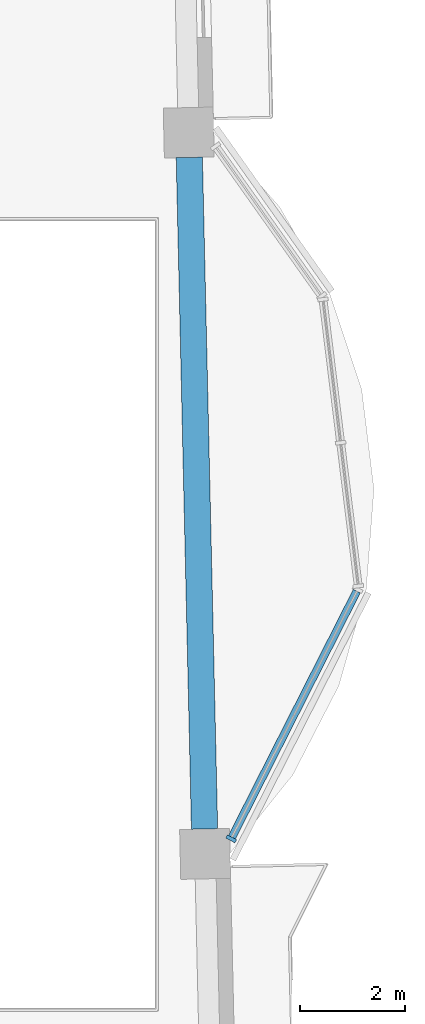
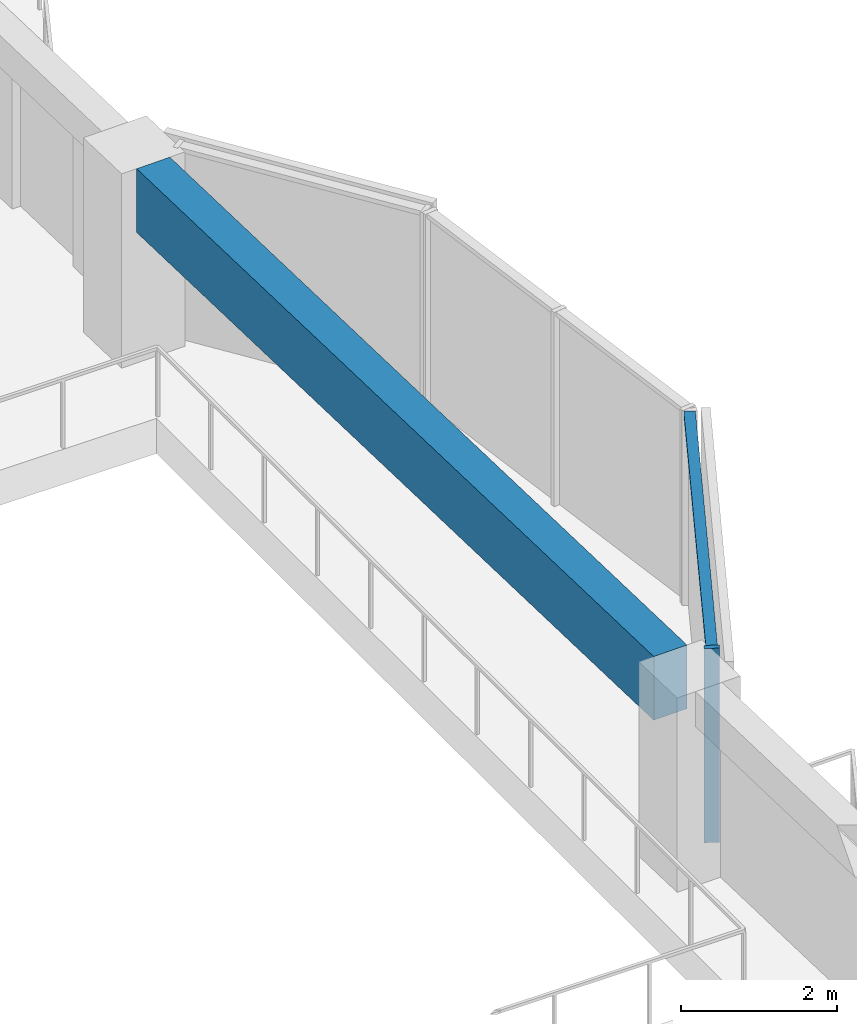
# One storey, part 2 of 20: 2 members, 1 beam, 1 element without a shape of its own.
"""IFC4 building model written with IfcOpenShell, lengths in metres."""

import ifcopenshell
import ifcopenshell.guid

model = None  # the IFC model being written
_history = None  # IfcOwnerHistory: only IFC2X3 demands one
_inside = {}  # id of a spatial element -> (the spatial element, [elements in it])
_under = {}  # id of a project, library or spatial element -> (it, [spatial elements below it])
_declared = {}  # id of a project -> (the project, [libraries it declares])
_typed = {}  # id of a type object -> (the type object, [elements of that type])
_made_of = {}  # id of a material, layer set ... -> (it, [elements and type objects made of it])


def new_model(schema):
    """Start an empty IFC model of exactly this schema.

    Asked for "IFC4X3", IfcOpenShell would pick the latest addendum, in which some entities
    have other attributes; the version numbers below select the first issue.
    IFC2X3 requires an IfcOwnerHistory on every rooted entity: one is made here for all.
    """
    global model, _history
    if schema == "IFC4X3":
        model = ifcopenshell.file(schema_version=(4, 3, 0, 0))
    else:
        model = ifcopenshell.file(schema=schema)
    _inside.clear()
    _under.clear()
    _declared.clear()
    _typed.clear()
    _made_of.clear()
    _history = None
    if model.schema == "IFC2X3":
        org = make("IfcOrganization", Name="unknown")
        user = make(
            "IfcPersonAndOrganization",
            ThePerson=make("IfcPerson", FamilyName="unknown"),
            TheOrganization=org,
        )
        app = make(
            "IfcApplication",
            ApplicationDeveloper=org,
            Version="unknown",
            ApplicationFullName="unknown",
            ApplicationIdentifier="unknown",
        )
        _history = make(
            "IfcOwnerHistory",
            OwningUser=user,
            OwningApplication=app,
            ChangeAction="ADDED",
            CreationDate=0,
        )
    return model


def make(cls, **values):
    """One entity of the class cls with the attributes given. An attribute that is None is left unset."""
    return model.create_entity(
        cls, **{name: value for name, value in values.items() if value is not None}
    )


def rooted(cls, **values):
    """An entity with a GlobalId (a new one), such as an element, a storey or a relation."""
    return make(cls, GlobalId=ifcopenshell.guid.new(), OwnerHistory=_history, **values)


def si_unit(unit_type, name, prefix=None):
    """IfcSIUnit, for example si_unit("LENGTHUNIT", "METRE", prefix="MILLI")."""
    return make("IfcSIUnit", UnitType=unit_type, Prefix=prefix, Name=name)


def assignment(units):
    """IfcUnitAssignment: the units of a project."""
    return None if units is None else make("IfcUnitAssignment", Units=units)


def point(xyz):
    """IfcCartesianPoint."""
    return None if xyz is None else make("IfcCartesianPoint", Coordinates=xyz)


def direction(xyz):
    """IfcDirection."""
    return None if xyz is None else make("IfcDirection", DirectionRatios=xyz)


def frame(location, z_axis=None, x_axis=None):
    """IfcAxis2Placement3D, a coordinate frame: its origin and axes. An axis left out is left unset."""
    return make(
        "IfcAxis2Placement3D",
        Location=point(location),
        Axis=direction(z_axis),
        RefDirection=direction(x_axis),
    )


def frame_2d(location, x_axis=None):
    """IfcAxis2Placement2D, a coordinate frame in the plane: its origin and x axis."""
    return make(
        "IfcAxis2Placement2D", Location=point(location), RefDirection=direction(x_axis)
    )


def origin():
    """The frame at (0, 0, 0) with its axes left unset."""
    return frame((0.0, 0.0, 0.0))


def origin_2d():
    """The frame at (0, 0) in the plane with its x axis left unset."""
    return frame_2d((0.0, 0.0))


def place(relative_to, where):
    """IfcLocalPlacement: puts the frame where relative to a parent placement (None: the world)."""
    return make(
        "IfcLocalPlacement", PlacementRelTo=relative_to, RelativePlacement=where
    )


def context(
    kind, dimensions, precision=None, world=None, true_north=None, identifier=None
):
    """IfcGeometricRepresentationContext, for example the 3D "Model" context."""
    return make(
        "IfcGeometricRepresentationContext",
        ContextIdentifier=identifier,
        ContextType=kind,
        CoordinateSpaceDimension=dimensions,
        Precision=precision,
        WorldCoordinateSystem=world,
        TrueNorth=true_north,
    )


def subcontext(parent, identifier, kind, view, scale=None):
    """IfcGeometricRepresentationSubContext, for example "Body" below "Model"."""
    return make(
        "IfcGeometricRepresentationSubContext",
        ContextIdentifier=identifier,
        ContextType=kind,
        ParentContext=parent,
        TargetScale=scale,
        TargetView=view,
    )


def project(units=None, contexts=None):
    """IfcProject with its units and contexts."""
    return rooted(
        "IfcProject",
        Name="project",
        RepresentationContexts=contexts,
        UnitsInContext=assignment(units),
    )


def spatial(cls, under=None, at=None, **own):
    """A site, building, storey or space (cls), placed at a placement, below another one or the project."""
    s = rooted(cls, ObjectPlacement=at, **own)
    if under is not None:
        _under.setdefault(under.id(), (under, []))[1].append(s)
    return s


def profile(cls, at=None, kind="AREA", **sizes):
    """A parametric profile (cls). Its sizes go by their IFC names, for example OverallWidth=200.0."""
    return make(cls, ProfileType=kind, Position=at, **sizes)


def rectangle(**sizes):
    """IfcRectangleProfileDef."""
    return profile("IfcRectangleProfileDef", **sizes)


def extrude(swept, where, along, depth):
    """IfcExtrudedAreaSolid: the profile swept, set in the frame where, extruded along a direction by depth."""
    return make(
        "IfcExtrudedAreaSolid",
        SweptArea=swept,
        Position=where,
        ExtrudedDirection=direction(along),
        Depth=depth,
    )


def shape(context_of_items, identifier, shape_type, items):
    """IfcShapeRepresentation: the items that make up one representation, for example the "Body"."""
    return make(
        "IfcShapeRepresentation",
        ContextOfItems=context_of_items,
        RepresentationIdentifier=identifier,
        RepresentationType=shape_type,
        Items=items,
    )


def material(Name=None, Category=None):
    """IfcMaterial."""
    return make("IfcMaterial", Name=Name, Category=Category)


def material_profile(
    of_material, cross_section, Name=None, Category=None, Priority=None
):
    """IfcMaterialProfile: a cross section and its material."""
    return make(
        "IfcMaterialProfile",
        Name=Name,
        Material=of_material,
        Profile=cross_section,
        Priority=Priority,
        Category=Category,
    )


def profile_set(profiles, Name=None, composite=None):
    """IfcMaterialProfileSet."""
    return make(
        "IfcMaterialProfileSet",
        Name=Name,
        MaterialProfiles=profiles,
        CompositeProfile=composite,
    )


def made_of(thing, what):
    """Note that an element or type object is made of a material, layer set ...; save() writes the relation."""
    if what is not None:
        _made_of.setdefault(what.id(), (what, []))[1].append(thing)
    return thing


def type_object(cls, material=None, **own):
    """A type object (cls), such as IfcWallType, which elements share."""
    return made_of(rooted(cls, **own), material)


def element(
    cls,
    number,
    at=None,
    inside=None,
    cuts=None,
    type_object=None,
    material=None,
    context=None,
    identifier="Body",
    shape_type=None,
    held_by="IfcProductDefinitionShape",
    body=None,
    shapes=None,
    **own,
):
    """One element of the class cls, such as IfcWall. Its Tag is "e" and its number.

    at: its placement. inside: the storey or other place that contains it. cuts: it is an
    opening in that element (IfcRelVoidsElement). A single representation is given by context,
    identifier, shape_type and body (its items); several are given by shapes. held_by: the class
    of the entity that holds the representations. save() writes the other relations.
    """
    e = rooted(cls, Tag="e%d" % number, ObjectPlacement=at, **own)
    if body is not None:
        shapes = [shape(context, identifier, shape_type, body)]
    if shapes is not None:
        e.Representation = make(held_by, Representations=shapes)
    if inside is not None:
        _inside.setdefault(inside.id(), (inside, []))[1].append(e)
    if cuts is not None:
        rooted(
            "IfcRelVoidsElement", RelatingBuildingElement=cuts, RelatedOpeningElement=e
        )
    if type_object is not None:
        _typed.setdefault(type_object.id(), (type_object, []))[1].append(e)
    return made_of(e, material)


def aggregate(whole, parts):
    """IfcRelAggregates: a whole, such as a stair, and the parts it consists of."""
    return rooted("IfcRelAggregates", RelatingObject=whole, RelatedObjects=parts)


def save(model, path):
    """Write the relations noted so far, then the file.

    IfcRelAggregates (storeys below a building ...), IfcRelContainedInSpatialStructure (elements
    in a storey), IfcRelDefinesByType, IfcRelAssociatesMaterial and IfcRelDeclares: one each for
    every whole, place, type object, material and project.
    """
    for whole, parts in _under.values():
        aggregate(whole, parts)
    for where, things in _inside.values():
        rooted(
            "IfcRelContainedInSpatialStructure",
            RelatedElements=things,
            RelatingStructure=where,
        )
    for kind, things in _typed.values():
        rooted("IfcRelDefinesByType", RelatedObjects=things, RelatingType=kind)
    for what, things in _made_of.values():
        rooted("IfcRelAssociatesMaterial", RelatedObjects=things, RelatingMaterial=what)
    for by, libraries in _declared.values():
        rooted("IfcRelDeclares", RelatingContext=by, RelatedDefinitions=libraries)
    model.write(path)


model = new_model("IFC4")

# Units and contexts
model_context = context("Model", 3, precision=1e-05, world=origin(), true_north=direction((0.0, 1.0)))
body_context = subcontext(model_context, "Body", "Model", "MODEL_VIEW")
ifc_project = project(units=[si_unit("LENGTHUNIT", "METRE"), si_unit("AREAUNIT", "SQUARE_METRE"), si_unit("VOLUMEUNIT", "CUBIC_METRE"), si_unit("PLANEANGLEUNIT", "RADIAN"), si_unit("MASSUNIT", "GRAM", prefix="KILO")], contexts=[model_context])

# Site, building, storey
site_placement = place(None, origin())
site = spatial("IfcSite", under=ifc_project, at=site_placement, CompositionType="ELEMENT")
building_placement = place(site_placement, origin())
building = spatial("IfcBuilding", under=site, at=building_placement, Name="Mangrove Gate Tower", CompositionType="ELEMENT")
storey_placement = place(building_placement, frame((0.0, 0.0, 294.300048828125)))
storey = spatial("IfcBuildingStorey", under=building, at=storey_placement, Name="L75", CompositionType="ELEMENT", Elevation=294.300048828125)

# Curtain wall, members
ifc_material_1 = material(Name="Aluminium and glass curtain wall", Category="aluminium")
curtain_wall_type = type_object("IfcCurtainWallType", Name="Atrium garden-court glazing wall", PredefinedType="NOTDEFINED", material=ifc_material_1)
curtain_wall_placement = place(storey_placement, origin())
curtain_wall = element("IfcCurtainWall", 1, at=curtain_wall_placement, inside=storey, type_object=curtain_wall_type, Name="Atrium garden-court glazing E1f1", PredefinedType="NOTDEFINED")
ifc_material_2 = material(Name="Aluminium alloy 6063-T6", Category="aluminium")
ifc_material_profile_1 = material_profile(ifc_material_2, rectangle(XDim=0.070068359375, YDim=0.199951171875, at=origin_2d()))
ifc_profile_set_1 = profile_set([ifc_material_profile_1], Name="Aluminium alloy 6063-T6")
member_type_1 = type_object("IfcMemberType", Name="Atrium garden-court glazing mullion 70x200", PredefinedType="MULLION", material=ifc_profile_set_1)
member_1_placement = place(storey_placement, frame((31.336181640625, -4.276611328125, 0.0), z_axis=(0.0, 0.0, 1.0), x_axis=(0.452617386511, 0.891704828644, 0.0)))
member_1 = element("IfcMember", 2, at=member_1_placement, type_object=member_type_1, Name="CWA mullion 1", PredefinedType="MULLION", context=body_context, shape_type="SweptSolid", body=[
    extrude(rectangle(XDim=0.070068359375, YDim=0.199951171875, at=origin_2d()), origin(), (0.0, 0.0, 1.0), 3.050048828125),
])
ifc_material_3 = material(Name="Aluminium alloy 6063-T6", Category="aluminium")
ifc_material_profile_2 = material_profile(ifc_material_3, rectangle(XDim=0.070068359375, YDim=0.14990234375, at=origin_2d()))
ifc_profile_set_2 = profile_set([ifc_material_profile_2], Name="Aluminium alloy 6063-T6")
member_type_2 = type_object("IfcMemberType", Name="Atrium garden-court glazing transom 70x150", PredefinedType="USERDEFINED", material=ifc_profile_set_2)
member_2_placement = place(storey_placement, frame((31.35205078125, -4.245361328125, 3.014892578125), z_axis=(0.452628185689, 0.891699347045, 0.0), x_axis=(0.0, 0.0, 1.0)))
member_2 = element("IfcMember", 3, at=member_2_placement, type_object=member_type_2, Name="CWA transom 1.2", ObjectType="TRANSOM", PredefinedType="USERDEFINED", context=body_context, shape_type="SweptSolid", body=[
    extrude(rectangle(XDim=0.070068359375, YDim=0.14990234375, at=origin_2d()), origin(), (0.0, 0.0, 1.0), 5.258544921875),
])
aggregate(curtain_wall, [member_1, member_2])

# Beam
ifc_material_4 = material(Name="Concrete C50/60", Category="concrete")
ifc_material_profile_3 = material_profile(ifc_material_4, rectangle(XDim=0.5, YDim=1.0, at=origin_2d()))
ifc_profile_set_3 = profile_set([ifc_material_profile_3], Name="Concrete C50/60")
beam_type = type_object("IfcBeamType", Name="Edge beam RC 500x1000 C50/60", PredefinedType="BEAM", material=ifc_profile_set_3)
beam_placement = place(storey_placement, frame((30.830322265625, -4.0888671875, 2.550048828125), z_axis=(-0.022696710072, 0.999742396496, 0.0), x_axis=(-0.999742396496, -0.022696710072, 0.0)))
element("IfcBeam", 4, at=beam_placement, inside=storey, type_object=beam_type, Name="Edge beam L75 16", PredefinedType="BEAM", context=body_context, shape_type="SweptSolid", body=[
    extrude(rectangle(XDim=0.5, YDim=1.0, at=origin_2d()), origin(), (0.0, 0.0, 1.0), 12.800537109375),
])

save(model, "model.ifc")
